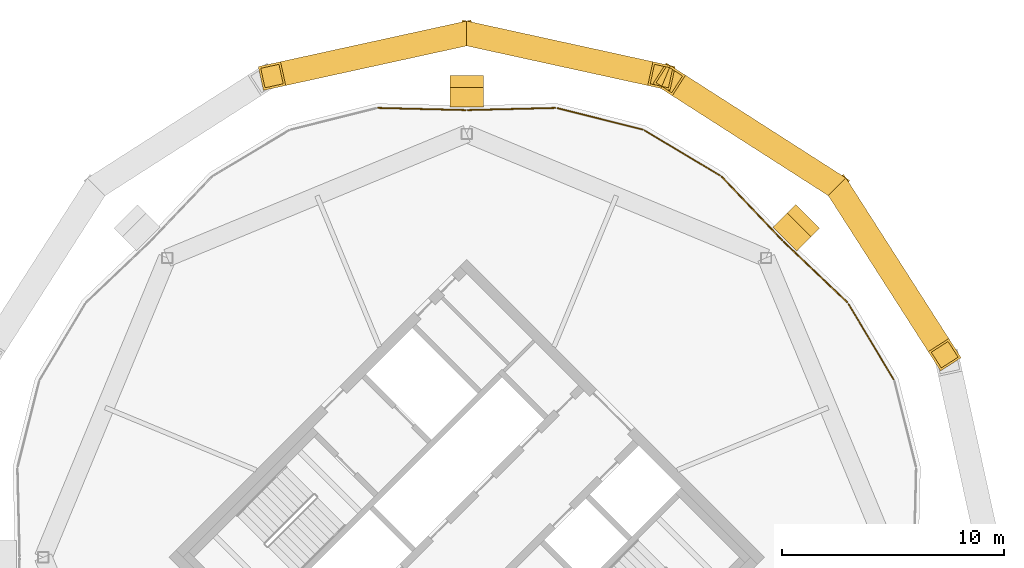
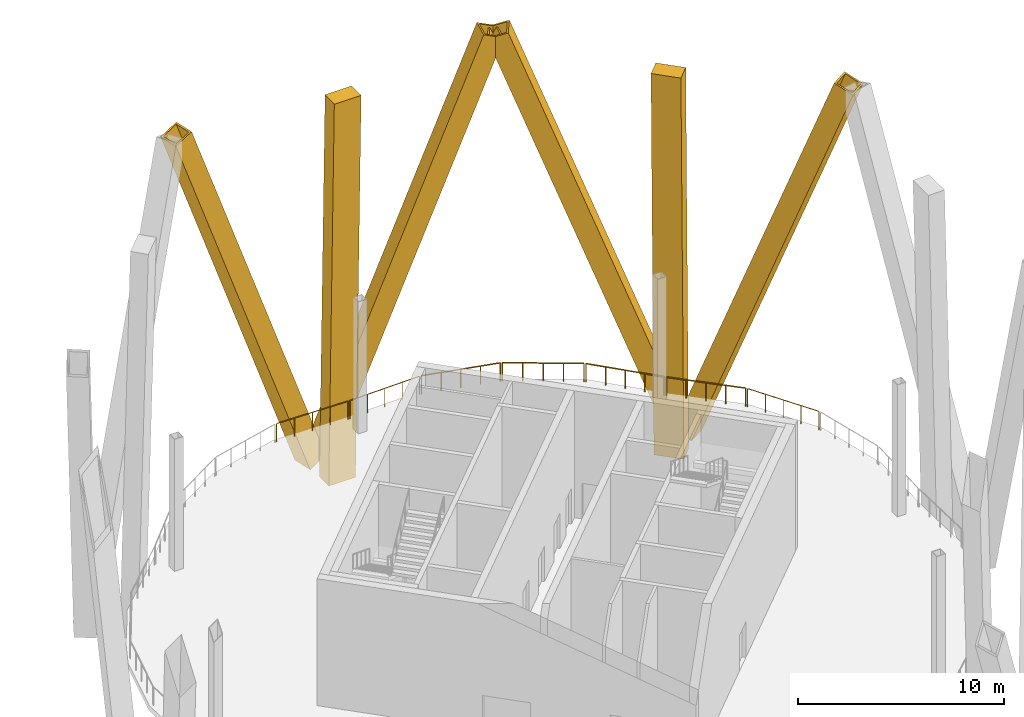
# One storey, part 13 of 13: 7 railings, 6 coverings.
"""IFC4 building model written with IfcOpenShell, lengths in metres."""

from ifc_helpers import new_model, si_unit, direction, frame, origin, origin_2d, place, context, subcontext, project, spatial, rectangle, hollow_rectangle, circle, extrude, material, material_profile, profile_set, type_object, element, save


model = new_model("IFC4")

# Units and contexts
model_context = context("Model", 3, precision=1e-05, world=origin(), true_north=direction((0.0, 1.0)))
body_context = subcontext(model_context, "Body", "Model", "MODEL_VIEW")
ifc_project = project(units=[si_unit("LENGTHUNIT", "METRE"), si_unit("AREAUNIT", "SQUARE_METRE"), si_unit("VOLUMEUNIT", "CUBIC_METRE"), si_unit("PLANEANGLEUNIT", "RADIAN"), si_unit("MASSUNIT", "GRAM", prefix="KILO")], contexts=[model_context])

# Site, building, storey
site_placement = place(None, origin())
site = spatial("IfcSite", under=ifc_project, at=site_placement, CompositionType="ELEMENT")
building_placement = place(site_placement, origin())
building = spatial("IfcBuilding", under=site, at=building_placement, Name="Ogive Gate Towers", CompositionType="ELEMENT")
storey_placement = place(building_placement, frame((0.0, 0.0, 221.10009765625)))
storey = spatial("IfcBuildingStorey", under=building, at=storey_placement, Name="L53", CompositionType="ELEMENT", Elevation=221.10009765625)

# Coverings
ifc_material_1 = material(Name="Pale metal aluminium", Category="aluminium")
ifc_material_profile_1 = material_profile(ifc_material_1, rectangle(XDim=1.5, YDim=0.89990234375, at=origin_2d()), Name="1500 x 900 pale metal aluminium")
ifc_profile_set_1 = profile_set([ifc_material_profile_1], Name="Pale metal aluminium")
covering_type_1 = type_object("IfcCoveringType", Name="Crease colonnette 1500 x 900", PredefinedType="CLADDING", material=ifc_profile_set_1)
for number, where, z_axis, x_axis, name in (
    (1, (51.061279296875, 15.061279296875, -4.10009765625), (-0.016658843266, -0.016658843266, 0.999722444423), (0.707106781187, -0.707106781187, 0.0), "Crease colonnette"),
    (2, (36.0, 21.300048828125, -4.10009765625), (0.0, -0.023576037518, 0.999722046598), (1.0, 0.0, 0.0), "Crease colonnette"),
):
    element("IfcCovering", number, at=place(storey_placement, frame(where, z_axis=z_axis, x_axis=x_axis)), inside=storey, type_object=covering_type_1, Name=name, PredefinedType="CLADDING", context=body_context, shape_type="SweptSolid", body=[
        extrude(rectangle(XDim=1.5, YDim=0.89990234375, at=origin_2d()), origin(), (0.0, 0.0, 1.0), 22.90625),
    ])
ifc_material_2 = material(Name="Pale metal aluminium cladding", Category="aluminium")
ifc_material_profile_2 = material_profile(ifc_material_2, hollow_rectangle(XDim=1.10009765625, YDim=1.10009765625, WallThickness=0.10009765625, at=origin_2d()), Name="1100 x 1100 pale metal casing")
ifc_profile_set_2 = profile_set([ifc_material_profile_2], Name="Pale metal aluminium cladding")
covering_type_2 = type_object("IfcCoveringType", Name="Diagrid casing 1100 x 1100", PredefinedType="CLADDING", material=ifc_profile_set_2)
for number, where, z_axis, x_axis, name in (
    (3, (52.821044921875, 16.55224609375, -4.28564453125), (0.1908382324, -0.297856011223, 0.935340882049), (0.842001268927, 0.539475544511, 0.0), "Diagrid casing"),
    (4, (52.55224609375, 16.821044921875, -4.28564453125), (-0.297856011223, 0.1908382324, 0.935340882049), (-0.539475544511, -0.842001268927, 0.0), "Diagrid casing"),
    (5, (36.190185546875, 23.598388671875, -4.28564453125), (0.345556326789, -0.075666188723, 0.935342425479), (0.21390121242, 0.976855297025, 0.0), "Diagrid casing"),
    (6, (35.809814453125, 23.598388671875, -4.28564453125), (-0.345556326789, -0.075666188723, 0.935342425479), (0.21390121242, -0.976855297025, 0.0), "Diagrid casing"),
):
    element("IfcCovering", number, at=place(storey_placement, frame(where, z_axis=z_axis, x_axis=x_axis)), inside=storey, type_object=covering_type_2, Name=name, PredefinedType="CLADDING", context=body_context, shape_type="SweptSolid", body=[
        extrude(hollow_rectangle(XDim=1.10009765625, YDim=1.10009765625, WallThickness=0.10009765625, at=origin_2d()), origin(), (0.0, 0.0, 1.0), 24.8798828125),
    ])

# Railings
ifc_material_3 = material(Name="Stainless steel", Category="steel")
railing_type = type_object("IfcRailingType", Name="Guard 1100", PredefinedType="GUARDRAIL", material=ifc_material_3)
railing_1_placement = place(storey_placement, frame((55.262939453125, 8.032470703125, 0.0)))
element("IfcRailing", 7, at=railing_1_placement, inside=storey, type_object=railing_type, Name="Wind floor guard", PredefinedType="GUARDRAIL", context=body_context, shape_type="SweptSolid", body=[
    extrude(circle(Radius=0.02392578125, at=origin_2d()), frame((0.0, 0.0, 1.076171875), z_axis=(-0.513489284672, 0.858096005426, 0.0), x_axis=(-0.858096005426, -0.513489284672, 0.0)), (0.0, 0.0, 1.0), 3.9609375),
    extrude(circle(Radius=0.02099609375, at=origin_2d()), origin(), (0.0, 0.0, 1.0), 1.052001953125),
    extrude(circle(Radius=0.02099609375, at=origin_2d()), frame((-0.508544921875, 0.849609375, 0.0)), (0.0, 0.0, 1.0), 1.052001953125),
    extrude(circle(Radius=0.02099609375, at=origin_2d()), frame((-1.01708984375, 1.699462890625, 0.0)), (0.0, 0.0, 1.0), 1.052001953125),
    extrude(circle(Radius=0.02099609375, at=origin_2d()), frame((-1.525390625, 2.54931640625, 0.0)), (0.0, 0.0, 1.0), 1.052001953125),
    extrude(circle(Radius=0.02099609375, at=origin_2d()), frame((-2.033935546875, 3.39892578125, 0.0)), (0.0, 0.0, 1.0), 1.052001953125),
])
railing_2_placement = place(storey_placement, frame((53.167236328125, 11.5087890625, 0.0)))
element("IfcRailing", 8, at=railing_2_placement, inside=storey, type_object=railing_type, Name="Wind floor guard", PredefinedType="GUARDRAIL", context=body_context, shape_type="SweptSolid", body=[
    extrude(circle(Radius=0.02392578125, at=origin_2d()), frame((0.0, 0.0, 1.076171875), z_axis=(-0.724040967494, 0.689756969801, 0.0), x_axis=(-0.689756969801, -0.724040967494, 0.0)), (0.0, 0.0, 1.0), 3.9521484375),
    extrude(circle(Radius=0.02099609375, at=origin_2d()), origin(), (0.0, 0.0, 1.0), 1.052001953125),
    extrude(circle(Radius=0.02099609375, at=origin_2d()), frame((-0.71533203125, 0.681640625, 0.0)), (0.0, 0.0, 1.0), 1.052001953125),
    extrude(circle(Radius=0.02099609375, at=origin_2d()), frame((-1.4306640625, 1.363037109375, 0.0)), (0.0, 0.0, 1.0), 1.052001953125),
    extrude(circle(Radius=0.02099609375, at=origin_2d()), frame((-2.146240234375, 2.04443359375, 0.0)), (0.0, 0.0, 1.0), 1.052001953125),
    extrude(circle(Radius=0.02099609375, at=origin_2d()), frame((-2.861572265625, 2.72607421875, 0.0)), (0.0, 0.0, 1.0), 1.052001953125),
])
railing_3_placement = place(storey_placement, frame((50.23486328125, 14.3056640625, 0.0)))
element("IfcRailing", 9, at=railing_3_placement, inside=storey, type_object=railing_type, Name="Wind floor guard", PredefinedType="GUARDRAIL", context=body_context, shape_type="SweptSolid", body=[
    extrude(circle(Radius=0.02392578125, at=origin_2d()), frame((0.0, 0.0, 1.076171875), z_axis=(-0.689756969801, 0.724040967494, 0.0), x_axis=(-0.724040967494, -0.689756969801, 0.0)), (0.0, 0.0, 1.0), 3.9521484375),
    extrude(circle(Radius=0.02099609375, at=origin_2d()), origin(), (0.0, 0.0, 1.0), 1.052001953125),
    extrude(circle(Radius=0.02099609375, at=origin_2d()), frame((-0.681640625, 0.71533203125, 0.0)), (0.0, 0.0, 1.0), 1.052001953125),
    extrude(circle(Radius=0.02099609375, at=origin_2d()), frame((-1.363037109375, 1.4306640625, 0.0)), (0.0, 0.0, 1.0), 1.052001953125),
    extrude(circle(Radius=0.02099609375, at=origin_2d()), frame((-2.04443359375, 2.146240234375, 0.0)), (0.0, 0.0, 1.0), 1.052001953125),
    extrude(circle(Radius=0.02099609375, at=origin_2d()), frame((-2.72607421875, 2.861572265625, 0.0)), (0.0, 0.0, 1.0), 1.052001953125),
])
railing_4_placement = place(storey_placement, frame((47.431396484375, 17.22900390625, 0.0)))
element("IfcRailing", 10, at=railing_4_placement, inside=storey, type_object=railing_type, Name="Wind floor guard", PredefinedType="GUARDRAIL", context=body_context, shape_type="SweptSolid", body=[
    extrude(circle(Radius=0.02392578125, at=origin_2d()), frame((0.0, 0.0, 1.076171875), z_axis=(-0.858096005426, 0.513489284672, 0.0), x_axis=(-0.513489284672, -0.858096005426, 0.0)), (0.0, 0.0, 1.0), 3.9609375),
    extrude(circle(Radius=0.02099609375, at=origin_2d()), origin(), (0.0, 0.0, 1.0), 1.052001953125),
    extrude(circle(Radius=0.02099609375, at=origin_2d()), frame((-0.849609375, 0.508544921875, 0.0)), (0.0, 0.0, 1.0), 1.052001953125),
    extrude(circle(Radius=0.02099609375, at=origin_2d()), frame((-1.699462890625, 1.01708984375, 0.0)), (0.0, 0.0, 1.0), 1.052001953125),
    extrude(circle(Radius=0.02099609375, at=origin_2d()), frame((-2.54931640625, 1.525390625, 0.0)), (0.0, 0.0, 1.0), 1.052001953125),
    extrude(circle(Radius=0.02099609375, at=origin_2d()), frame((-3.39892578125, 2.033935546875, 0.0)), (0.0, 0.0, 1.0), 1.052001953125),
])
railing_5_placement = place(storey_placement, frame((43.941162109375, 19.30078125, 0.0)))
element("IfcRailing", 11, at=railing_5_placement, inside=storey, type_object=railing_type, Name="Wind floor guard", PredefinedType="GUARDRAIL", context=body_context, shape_type="SweptSolid", body=[
    extrude(circle(Radius=0.02392578125, at=origin_2d()), frame((0.0, 0.0, 1.076171875), z_axis=(-0.969848109808, 0.243710163723, 0.0), x_axis=(-0.243710163723, -0.969848109808, 0.0)), (0.0, 0.0, 1.0), 3.9609375),
    extrude(circle(Radius=0.02099609375, at=origin_2d()), origin(), (0.0, 0.0, 1.0), 1.052001953125),
    extrude(circle(Radius=0.02099609375, at=origin_2d()), frame((-0.96044921875, 0.2412109375, 0.0)), (0.0, 0.0, 1.0), 1.052001953125),
    extrude(circle(Radius=0.02099609375, at=origin_2d()), frame((-1.9208984375, 0.482666015625, 0.0)), (0.0, 0.0, 1.0), 1.052001953125),
    extrude(circle(Radius=0.02099609375, at=origin_2d()), frame((-2.881103515625, 0.72412109375, 0.0)), (0.0, 0.0, 1.0), 1.052001953125),
    extrude(circle(Radius=0.02099609375, at=origin_2d()), frame((-3.841552734375, 0.96533203125, 0.0)), (0.0, 0.0, 1.0), 1.052001953125),
])
railing_6_placement = place(storey_placement, frame((40.001220703125, 20.277099609375, 0.0)))
element("IfcRailing", 12, at=railing_6_placement, inside=storey, type_object=railing_type, Name="Wind floor guard", PredefinedType="GUARDRAIL", context=body_context, shape_type="SweptSolid", body=[
    extrude(circle(Radius=0.02392578125, at=origin_2d()), frame((0.0, 0.0, 1.076171875), z_axis=(-0.999705292392, -0.024276086252, 0.0), x_axis=(0.024276086252, -0.999705292392, 0.0)), (0.0, 0.0, 1.0), 3.952392578125),
    extrude(circle(Radius=0.02099609375, at=origin_2d()), origin(), (0.0, 0.0, 1.0), 1.052001953125),
    extrude(circle(Radius=0.02099609375, at=origin_2d()), frame((-0.98779296875, -0.02392578125, 0.0)), (0.0, 0.0, 1.0), 1.052001953125),
    extrude(circle(Radius=0.02099609375, at=origin_2d()), frame((-1.9755859375, -0.0478515625, 0.0)), (0.0, 0.0, 1.0), 1.052001953125),
    extrude(circle(Radius=0.02099609375, at=origin_2d()), frame((-2.96337890625, -0.072021484375, 0.0)), (0.0, 0.0, 1.0), 1.052001953125),
    extrude(circle(Radius=0.02099609375, at=origin_2d()), frame((-3.951171875, -0.095947265625, 0.0)), (0.0, 0.0, 1.0), 1.052001953125),
])
railing_7_placement = place(storey_placement, frame((35.949951171875, 20.18115234375, 0.0)))
element("IfcRailing", 13, at=railing_7_placement, inside=storey, type_object=railing_type, Name="Wind floor guard", PredefinedType="GUARDRAIL", context=body_context, shape_type="SweptSolid", body=[
    extrude(circle(Radius=0.02392578125, at=origin_2d()), frame((0.0, 0.0, 1.076171875), z_axis=(-0.999705292392, 0.024276086252, 0.0), x_axis=(-0.024276086252, -0.999705292392, 0.0)), (0.0, 0.0, 1.0), 3.952392578125),
    extrude(circle(Radius=0.02099609375, at=origin_2d()), origin(), (0.0, 0.0, 1.0), 1.052001953125),
    extrude(circle(Radius=0.02099609375, at=origin_2d()), frame((-0.98779296875, 0.02392578125, 0.0)), (0.0, 0.0, 1.0), 1.052001953125),
    extrude(circle(Radius=0.02099609375, at=origin_2d()), frame((-1.9755859375, 0.0478515625, 0.0)), (0.0, 0.0, 1.0), 1.052001953125),
    extrude(circle(Radius=0.02099609375, at=origin_2d()), frame((-2.96337890625, 0.072021484375, 0.0)), (0.0, 0.0, 1.0), 1.052001953125),
    extrude(circle(Radius=0.02099609375, at=origin_2d()), frame((-3.951171875, 0.095947265625, 0.0)), (0.0, 0.0, 1.0), 1.052001953125),
])

save(model, "model.ifc")
